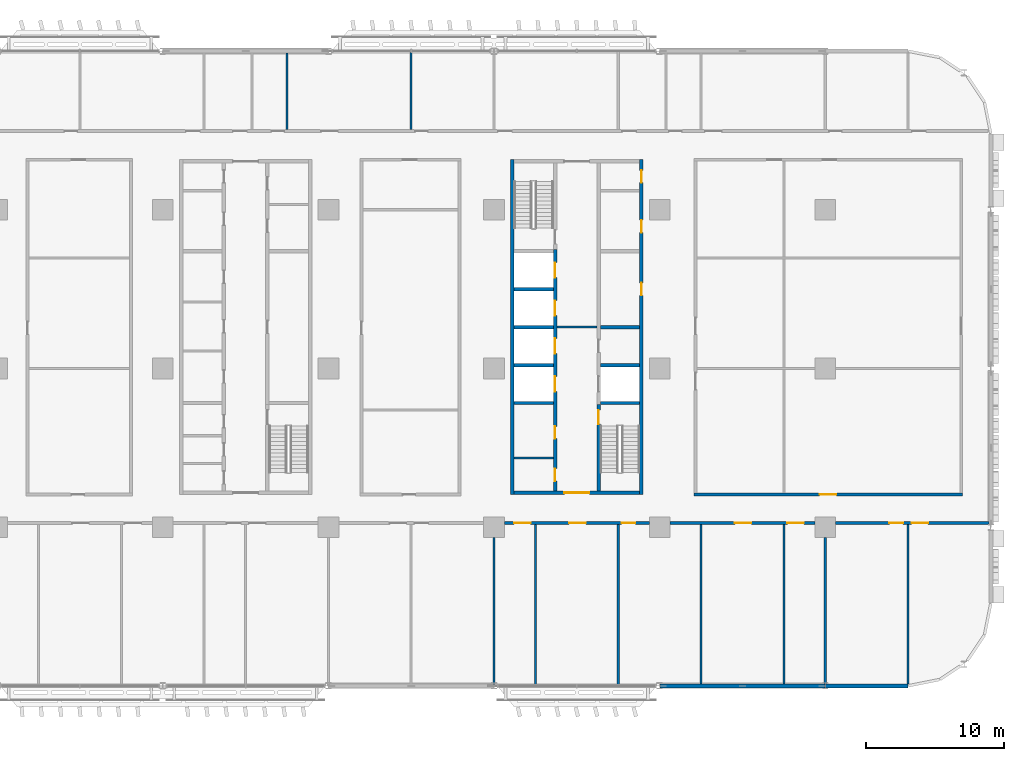
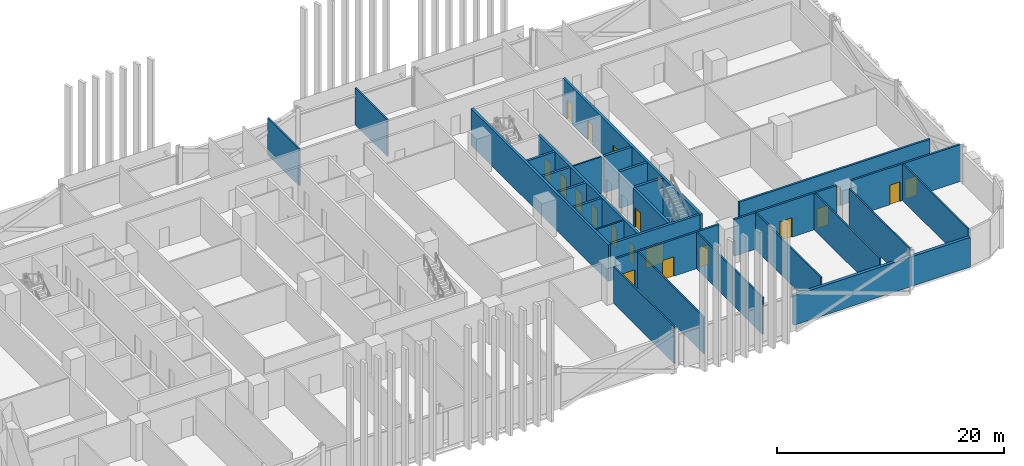
# One storey, part 14 of 29: 29 walls, 19 doors, 19 openings.
"""IFC4 building model written with IfcOpenShell, lengths in metres."""

from ifc_helpers import new_model, si_unit, direction, frame, frame_2d, origin, place, context, subcontext, project, spatial, rectangle, extrude, material, layer, layer_set, type_object, element, fill, save


model = new_model("IFC4")

# Units and contexts
model_context = context("Model", 3, precision=1e-05, world=origin(), true_north=direction((0.0, 1.0)))
body_context = subcontext(model_context, "Body", "Model", "MODEL_VIEW")
ifc_project = project(units=[si_unit("LENGTHUNIT", "METRE"), si_unit("AREAUNIT", "SQUARE_METRE"), si_unit("VOLUMEUNIT", "CUBIC_METRE"), si_unit("PLANEANGLEUNIT", "RADIAN"), si_unit("MASSUNIT", "GRAM", prefix="KILO")], contexts=[model_context])

# Site, building, storey
site_placement = place(None, origin())
site = spatial("IfcSite", under=ifc_project, at=site_placement, CompositionType="ELEMENT")
building_placement = place(site_placement, origin())
building = spatial("IfcBuilding", under=site, at=building_placement, Name="Mahtab Terrace Research Tower", CompositionType="ELEMENT")
storey_placement = place(building_placement, frame((0.0, 0.0, 46.0)))
storey = spatial("IfcBuildingStorey", under=building, at=storey_placement, Name="L10", CompositionType="ELEMENT", Elevation=46.0)

# Walls
ifc_material_1 = material(Name="Gypsum board partition")
ifc_layer_1 = layer(ifc_material_1, 0.14990234375)
ifc_layer_set_1 = layer_set([ifc_layer_1], Name="Core partition 150")
wall_type_1 = type_object("IfcWallType", Name="Core partition 150", PredefinedType="PARTITIONING", material=ifc_layer_set_1)
wall_1_placement = place(storey_placement, frame((22.550048828125, 3.0, 0.0), z_axis=(0.0, 0.0, 1.0), x_axis=(1.0, 0.0, 0.0)))
element("IfcWall", 1, at=wall_1_placement, inside=storey, type_object=wall_type_1, Name="Core wall C ffl", PredefinedType="PARTITIONING", context=body_context, shape_type="SweptSolid", body=[
    extrude(rectangle(XDim=2.89990234375, YDim=0.14990234375, at=frame_2d((1.449951171875, 0.0))), origin(), (0.0, 0.0, 1.0), 3.9599609375),
])
wall_2_placement = place(storey_placement, frame((19.449951171875, -6.47509765625, 0.0), z_axis=(0.0, 0.0, 1.0), x_axis=(1.0, 0.0, 0.0)))
element("IfcWall", 2, at=wall_2_placement, inside=storey, type_object=wall_type_1, Name="Core wall C pWS-948", PredefinedType="PARTITIONING", context=body_context, shape_type="SweptSolid", body=[
    extrude(rectangle(XDim=2.85009765625, YDim=0.14990234375, at=frame_2d((1.425048828125, 0.0))), origin(), (0.0, 0.0, 1.0), 3.9599609375),
])
ifc_material_2 = material(Name="Concrete C70/85", Category="concrete")
ifc_layer_2 = layer(ifc_material_2, 0.25)
ifc_layer_set_2 = layer_set([ifc_layer_2], Name="Core wall 250")
wall_type_2 = type_object("IfcWallType", Name="Core wall 250", PredefinedType="SOLIDWALL", material=ifc_layer_set_2)
wall_3_placement = place(storey_placement, frame((19.324951171875, 15.125, 0.0), z_axis=(0.0, 0.0, 1.0), x_axis=(0.0, -1.0, 0.0)))
element("IfcWall", 3, at=wall_3_placement, inside=storey, type_object=wall_type_2, Name="Core wall C outerW", PredefinedType="SOLIDWALL", context=body_context, shape_type="SweptSolid", body=[
    extrude(rectangle(XDim=24.25, YDim=0.25, at=frame_2d((12.125, 0.0))), origin(), (0.0, 0.0, 1.0), 3.9599609375),
])

# Wall, openings, doors
wall_4_placement = place(storey_placement, frame((28.675048828125, -9.125, 0.0), z_axis=(0.0, 0.0, 1.0), x_axis=(0.0, 1.0, 0.0)))
wall_4 = element("IfcWall", 4, at=wall_4_placement, inside=storey, type_object=wall_type_2, Name="Core wall C outerE", PredefinedType="SOLIDWALL", context=body_context, shape_type="SweptSolid", body=[
    extrude(rectangle(XDim=24.25, YDim=0.25, at=frame_2d((12.125, 0.0))), origin(), (0.0, 0.0, 1.0), 3.9599609375),
])
opening_1_placement = place(wall_4_placement, frame((14.425048828125, 0.0, 0.0)))
opening_1 = element("IfcOpeningElement", 5, at=opening_1_placement, cuts=wall_4, Name="Opening C-R2", PredefinedType="OPENING", context=body_context, shape_type="SweptSolid", body=[
    extrude(rectangle(XDim=0.89990234375, YDim=2.10009765625, at=frame_2d((0.449951171875, 1.050048828125))), frame((0.0, 0.135009765625, 0.0), z_axis=(0.0, -1.0, 0.0), x_axis=(1.0, 0.0, 0.0)), (0.0, 0.0, 1.0), 0.27001953125),
])
opening_2_placement = place(wall_4_placement, frame((18.97509765625, 0.0, 0.0)))
opening_2 = element("IfcOpeningElement", 6, at=opening_2_placement, cuts=wall_4, Name="Opening C-R5", PredefinedType="OPENING", context=body_context, shape_type="SweptSolid", body=[
    extrude(rectangle(XDim=0.89990234375, YDim=2.10009765625, at=frame_2d((0.449951171875, 1.050048828125))), frame((0.0, 0.135009765625, 0.0), z_axis=(0.0, -1.0, 0.0), x_axis=(1.0, 0.0, 0.0)), (0.0, 0.0, 1.0), 0.27001953125),
])
opening_3_placement = place(wall_4_placement, frame((22.58740234375, 0.0, 0.0)))
opening_3 = element("IfcOpeningElement", 7, at=opening_3_placement, cuts=wall_4, Name="Opening C-R6", PredefinedType="OPENING", context=body_context, shape_type="SweptSolid", body=[
    extrude(rectangle(XDim=0.89990234375, YDim=2.10009765625, at=frame_2d((0.449951171875, 1.050048828125))), frame((0.0, 0.135009765625, 0.0), z_axis=(0.0, -1.0, 0.0), x_axis=(1.0, 0.0, 0.0)), (0.0, 0.0, 1.0), 0.27001953125),
])
ifc_material_3 = material(Name="Steel fire door", Category="steel")
door_type_1 = type_object("IfcDoorType", Name="Room door 900x2100 1 HR", OperationType="NOTDEFINED", PredefinedType="DOOR", material=ifc_material_3)
door_1_placement = place(opening_1_placement, origin())
door_1 = element("IfcDoor", 8, at=door_1_placement, inside=storey, type_object=door_type_1, Name="Plant room door", OperationType="SINGLE_SWING_RIGHT", OverallHeight=2.10009765625, OverallWidth=0.89990234375, PredefinedType="DOOR", context=body_context, shape_type="SweptSolid", body=[
    extrude(rectangle(XDim=0.89990234375, YDim=2.10009765625, at=frame_2d((0.449951171875, 1.050048828125))), frame((0.0, 0.02490234375, 0.0), z_axis=(0.0, -1.0, 0.0), x_axis=(1.0, 0.0, 0.0)), (0.0, 0.0, 1.0), 0.050048828125),
])
fill(opening_1, door_1)
door_2_placement = place(opening_2_placement, origin())
door_2 = element("IfcDoor", 9, at=door_2_placement, inside=storey, type_object=door_type_1, Name="IT equipment room door", OperationType="SINGLE_SWING_LEFT", OverallHeight=2.10009765625, OverallWidth=0.89990234375, PredefinedType="DOOR", context=body_context, shape_type="SweptSolid", body=[
    extrude(rectangle(XDim=0.89990234375, YDim=2.10009765625, at=frame_2d((0.449951171875, 1.050048828125))), frame((0.0, 0.02490234375, 0.0), z_axis=(0.0, -1.0, 0.0), x_axis=(1.0, 0.0, 0.0)), (0.0, 0.0, 1.0), 0.050048828125),
])
fill(opening_2, door_2)
door_3_placement = place(opening_3_placement, origin())
door_3 = element("IfcDoor", 10, at=door_3_placement, inside=storey, type_object=door_type_1, Name="Electrical riser room door", OperationType="SINGLE_SWING_RIGHT", OverallHeight=2.10009765625, OverallWidth=0.89990234375, PredefinedType="DOOR", context=body_context, shape_type="SweptSolid", body=[
    extrude(rectangle(XDim=0.89990234375, YDim=2.10009765625, at=frame_2d((0.449951171875, 1.050048828125))), frame((0.0, 0.02490234375, 0.0), z_axis=(0.0, -1.0, 0.0), x_axis=(1.0, 0.0, 0.0)), (0.0, 0.0, 1.0), 0.050048828125),
])
fill(opening_3, door_3)

# Wall, opening, door
wall_5_placement = place(storey_placement, frame((28.550048828125, -9.0, 0.0), z_axis=(0.0, 0.0, 1.0), x_axis=(-1.0, 0.0, 0.0)))
wall_5 = element("IfcWall", 11, at=wall_5_placement, inside=storey, type_object=wall_type_2, Name="Core wall C endS", PredefinedType="SOLIDWALL", context=body_context, shape_type="SweptSolid", body=[
    extrude(rectangle(XDim=9.10009765625, YDim=0.25, at=frame_2d((4.550048828125, 0.0))), origin(), (0.0, 0.0, 1.0), 3.9599609375),
])
opening_4_placement = place(wall_5_placement, frame((3.64990234375, 0.0, 0.0)))
opening_4 = element("IfcOpeningElement", 12, at=opening_4_placement, cuts=wall_5, Name="Opening C-S1", PredefinedType="OPENING", context=body_context, shape_type="SweptSolid", body=[
    extrude(rectangle(XDim=1.800048828125, YDim=2.10009765625, at=frame_2d((0.89990234375, 1.050048828125))), frame((0.0, 0.135009765625, 0.0), z_axis=(0.0, -1.0, 0.0), x_axis=(1.0, 0.0, 0.0)), (0.0, 0.0, 1.0), 0.27001953125),
])
door_type_2 = type_object("IfcDoorType", Name="Lobby double door 1800x2100 1 HR", OperationType="DOUBLE_DOOR_SINGLE_SWING", PredefinedType="DOOR", material=ifc_material_3)
door_4_placement = place(opening_4_placement, origin())
door_4 = element("IfcDoor", 13, at=door_4_placement, inside=storey, type_object=door_type_2, Name="Core entrance door C S", OperationType="DOUBLE_DOOR_SINGLE_SWING", OverallHeight=2.10009765625, OverallWidth=1.800048828125, PredefinedType="DOOR", context=body_context, shape_type="SweptSolid", body=[
    extrude(rectangle(XDim=1.800048828125, YDim=2.10009765625, at=frame_2d((0.89990234375, 1.050048828125))), frame((0.0, 0.02490234375, 0.0), z_axis=(0.0, -1.0, 0.0), x_axis=(1.0, 0.0, 0.0)), (0.0, 0.0, 1.0), 0.050048828125),
])
fill(opening_4, door_4)

# Wall, openings, doors
wall_6_placement = place(storey_placement, frame((22.425048828125, -8.875, 0.0), z_axis=(0.0, 0.0, 1.0), x_axis=(0.0, 1.0, 0.0)))
wall_6 = element("IfcWall", 14, at=wall_6_placement, inside=storey, type_object=wall_type_2, Name="Core wall C innerWSL", PredefinedType="SOLIDWALL", context=body_context, shape_type="SweptSolid", body=[
    extrude(rectangle(XDim=17.5, YDim=0.25, at=frame_2d((8.75, 0.0))), origin(), (0.0, 0.0, 1.0), 3.9599609375),
])
opening_5_placement = place(wall_6_placement, frame((7.199951171875, 0.0, 0.0)))
opening_5 = element("IfcOpeningElement", 15, at=opening_5_placement, cuts=wall_6, Name="Opening LD17-L10", PredefinedType="OPENING", context=body_context, shape_type="SweptSolid", body=[
    extrude(rectangle(XDim=1.10009765625, YDim=2.10009765625, at=frame_2d((0.550048828125, 1.050048828125))), frame((0.0, 0.135009765625, 0.0), z_axis=(0.0, -1.0, 0.0), x_axis=(1.0, 0.0, 0.0)), (0.0, 0.0, 1.0), 0.27001953125),
])
opening_6_placement = place(wall_6_placement, frame((9.949951171875, 0.0, 0.0)))
opening_6 = element("IfcOpeningElement", 16, at=opening_6_placement, cuts=wall_6, Name="Opening LD18-L10", PredefinedType="OPENING", context=body_context, shape_type="SweptSolid", body=[
    extrude(rectangle(XDim=1.10009765625, YDim=2.10009765625, at=frame_2d((0.550048828125, 1.050048828125))), frame((0.0, 0.135009765625, 0.0), z_axis=(0.0, -1.0, 0.0), x_axis=(1.0, 0.0, 0.0)), (0.0, 0.0, 1.0), 0.27001953125),
])
opening_7_placement = place(wall_6_placement, frame((12.699951171875, 0.0, 0.0)))
opening_7 = element("IfcOpeningElement", 17, at=opening_7_placement, cuts=wall_6, Name="Opening LD19-L10", PredefinedType="OPENING", context=body_context, shape_type="SweptSolid", body=[
    extrude(rectangle(XDim=1.10009765625, YDim=2.10009765625, at=frame_2d((0.550048828125, 1.050048828125))), frame((0.0, 0.135009765625, 0.0), z_axis=(0.0, -1.0, 0.0), x_axis=(1.0, 0.0, 0.0)), (0.0, 0.0, 1.0), 0.27001953125),
])
opening_8_placement = place(wall_6_placement, frame((15.449951171875, 0.0, 0.0)))
opening_8 = element("IfcOpeningElement", 18, at=opening_8_placement, cuts=wall_6, Name="Opening LD20-L10", PredefinedType="OPENING", context=body_context, shape_type="SweptSolid", body=[
    extrude(rectangle(XDim=1.10009765625, YDim=2.10009765625, at=frame_2d((0.550048828125, 1.050048828125))), frame((0.0, 0.135009765625, 0.0), z_axis=(0.0, -1.0, 0.0), x_axis=(1.0, 0.0, 0.0)), (0.0, 0.0, 1.0), 0.27001953125),
])
opening_9_placement = place(wall_6_placement, frame((0.71240234375, 0.0, 0.0)))
opening_9 = element("IfcOpeningElement", 19, at=opening_9_placement, cuts=wall_6, Name="Opening C-R3", PredefinedType="OPENING", context=body_context, shape_type="SweptSolid", body=[
    extrude(rectangle(XDim=0.89990234375, YDim=2.10009765625, at=frame_2d((0.449951171875, 1.050048828125))), frame((0.0, 0.135009765625, 0.0), z_axis=(0.0, -1.0, 0.0), x_axis=(1.0, 0.0, 0.0)), (0.0, 0.0, 1.0), 0.27001953125),
])
opening_10_placement = place(wall_6_placement, frame((3.78759765625, 0.0, 0.0)))
opening_10 = element("IfcOpeningElement", 20, at=opening_10_placement, cuts=wall_6, Name="Opening C-R4", PredefinedType="OPENING", context=body_context, shape_type="SweptSolid", body=[
    extrude(rectangle(XDim=0.89990234375, YDim=2.10009765625, at=frame_2d((0.449951171875, 1.050048828125))), frame((0.0, 0.135009765625, 0.0), z_axis=(0.0, -1.0, 0.0), x_axis=(1.0, 0.0, 0.0)), (0.0, 0.0, 1.0), 0.27001953125),
])
ifc_material_4 = material(Name="Stainless steel AISI 304", Category="steel")
door_type_3 = type_object("IfcDoorType", Name="Landing door 1100x2100", OperationType="DOUBLE_DOOR_SLIDING", PredefinedType="DOOR", material=ifc_material_4)
door_5_placement = place(opening_5_placement, origin())
door_5 = element("IfcDoor", 21, at=door_5_placement, inside=storey, type_object=door_type_3, Name="Landing door SV1 L10", OperationType="DOUBLE_DOOR_SLIDING", OverallHeight=2.10009765625, OverallWidth=1.10009765625, PredefinedType="DOOR", context=body_context, shape_type="SweptSolid", body=[
    extrude(rectangle(XDim=1.10009765625, YDim=2.10009765625, at=frame_2d((0.550048828125, 1.050048828125))), frame((0.0, 0.02490234375, 0.0), z_axis=(0.0, -1.0, 0.0), x_axis=(1.0, 0.0, 0.0)), (0.0, 0.0, 1.0), 0.050048828125),
])
fill(opening_5, door_5)
door_6_placement = place(opening_6_placement, origin())
door_6 = element("IfcDoor", 22, at=door_6_placement, inside=storey, type_object=door_type_3, Name="Landing door SV2 L10", OperationType="DOUBLE_DOOR_SLIDING", OverallHeight=2.10009765625, OverallWidth=1.10009765625, PredefinedType="DOOR", context=body_context, shape_type="SweptSolid", body=[
    extrude(rectangle(XDim=1.10009765625, YDim=2.10009765625, at=frame_2d((0.550048828125, 1.050048828125))), frame((0.0, 0.02490234375, 0.0), z_axis=(0.0, -1.0, 0.0), x_axis=(1.0, 0.0, 0.0)), (0.0, 0.0, 1.0), 0.050048828125),
])
fill(opening_6, door_6)
door_7_placement = place(opening_7_placement, origin())
door_7 = element("IfcDoor", 23, at=door_7_placement, inside=storey, type_object=door_type_3, Name="Landing door FF1 L10", OperationType="DOUBLE_DOOR_SLIDING", OverallHeight=2.10009765625, OverallWidth=1.10009765625, PredefinedType="DOOR", context=body_context, shape_type="SweptSolid", body=[
    extrude(rectangle(XDim=1.10009765625, YDim=2.10009765625, at=frame_2d((0.550048828125, 1.050048828125))), frame((0.0, 0.02490234375, 0.0), z_axis=(0.0, -1.0, 0.0), x_axis=(1.0, 0.0, 0.0)), (0.0, 0.0, 1.0), 0.050048828125),
])
fill(opening_7, door_7)
door_8_placement = place(opening_8_placement, origin())
door_8 = element("IfcDoor", 24, at=door_8_placement, inside=storey, type_object=door_type_3, Name="Landing door FF2 L10", OperationType="DOUBLE_DOOR_SLIDING", OverallHeight=2.10009765625, OverallWidth=1.10009765625, PredefinedType="DOOR", context=body_context, shape_type="SweptSolid", body=[
    extrude(rectangle(XDim=1.10009765625, YDim=2.10009765625, at=frame_2d((0.550048828125, 1.050048828125))), frame((0.0, 0.02490234375, 0.0), z_axis=(0.0, -1.0, 0.0), x_axis=(1.0, 0.0, 0.0)), (0.0, 0.0, 1.0), 0.050048828125),
])
fill(opening_8, door_8)
door_9_placement = place(opening_9_placement, origin())
door_9 = element("IfcDoor", 25, at=door_9_placement, inside=storey, type_object=door_type_1, Name="Accessible WC door", OperationType="SINGLE_SWING_LEFT", OverallHeight=2.10009765625, OverallWidth=0.89990234375, PredefinedType="DOOR", context=body_context, shape_type="SweptSolid", body=[
    extrude(rectangle(XDim=0.89990234375, YDim=2.10009765625, at=frame_2d((0.449951171875, 1.050048828125))), frame((0.0, 0.02490234375, 0.0), z_axis=(0.0, -1.0, 0.0), x_axis=(1.0, 0.0, 0.0)), (0.0, 0.0, 1.0), 0.050048828125),
])
fill(opening_9, door_9)
door_10_placement = place(opening_10_placement, origin())
door_10 = element("IfcDoor", 26, at=door_10_placement, inside=storey, type_object=door_type_1, Name="WC block door", OperationType="SINGLE_SWING_RIGHT", OverallHeight=2.10009765625, OverallWidth=0.89990234375, PredefinedType="DOOR", context=body_context, shape_type="SweptSolid", body=[
    extrude(rectangle(XDim=0.89990234375, YDim=2.10009765625, at=frame_2d((0.449951171875, 1.050048828125))), frame((0.0, 0.02490234375, 0.0), z_axis=(0.0, -1.0, 0.0), x_axis=(1.0, 0.0, 0.0)), (0.0, 0.0, 1.0), 0.050048828125),
])
fill(opening_10, door_10)

# Wall, opening, door
wall_7_placement = place(storey_placement, frame((25.574951171875, -8.875, 0.0), z_axis=(0.0, 0.0, 1.0), x_axis=(0.0, 1.0, 0.0)))
wall_7 = element("IfcWall", 27, at=wall_7_placement, inside=storey, type_object=wall_type_2, Name="Core wall C innerES", PredefinedType="SOLIDWALL", context=body_context, shape_type="SweptSolid", body=[
    extrude(rectangle(XDim=6.25, YDim=0.25, at=frame_2d((3.125, 0.0))), origin(), (0.0, 0.0, 1.0), 3.9599609375),
])
opening_11_placement = place(wall_7_placement, frame((4.85009765625, 0.0, 0.0)))
opening_11 = element("IfcOpeningElement", 28, at=opening_11_placement, cuts=wall_7, Name="Opening C-ST4", PredefinedType="OPENING", context=body_context, shape_type="SweptSolid", body=[
    extrude(rectangle(XDim=1.0, YDim=2.10009765625, at=frame_2d((0.5, 1.050048828125))), frame((0.0, 0.135009765625, 0.0), z_axis=(0.0, -1.0, 0.0), x_axis=(1.0, 0.0, 0.0)), (0.0, 0.0, 1.0), 0.27001953125),
])
door_type_4 = type_object("IfcDoorType", Name="Stair door 1000x2100 1.5 HR", OperationType="NOTDEFINED", PredefinedType="DOOR", material=ifc_material_3)
door_11_placement = place(opening_11_placement, origin())
door_11 = element("IfcDoor", 29, at=door_11_placement, inside=storey, type_object=door_type_4, Name="Stair door ST4 L10", OperationType="SINGLE_SWING_RIGHT", OverallHeight=2.10009765625, OverallWidth=1.0, PredefinedType="DOOR", context=body_context, shape_type="SweptSolid", body=[
    extrude(rectangle(XDim=1.0, YDim=2.10009765625, at=frame_2d((0.5, 1.050048828125))), frame((0.0, 0.02490234375, 0.0), z_axis=(0.0, -1.0, 0.0), x_axis=(1.0, 0.0, 0.0)), (0.0, 0.0, 1.0), 0.050048828125),
])
fill(opening_11, door_11)

# Walls
for number, where, z_axis, x_axis, name in (
    (30, (19.449951171875, -2.5, 0.0), (0.0, 0.0, 1.0), (1.0, 0.0, 0.0), "Core wall C divW0"),
    (31, (19.449951171875, 0.25, 0.0), (0.0, 0.0, 1.0), (1.0, 0.0, 0.0), "Core wall C divW1"),
    (32, (19.449951171875, 3.0, 0.0), (0.0, 0.0, 1.0), (1.0, 0.0, 0.0), "Core wall C divW2"),
    (33, (19.449951171875, 5.75, 0.0), (0.0, 0.0, 1.0), (1.0, 0.0, 0.0), "Core wall C divW3"),
    (34, (25.699951171875, -2.5, 0.0), (0.0, 0.0, 1.0), (1.0, 0.0, 0.0), "Core wall C divE0"),
    (35, (25.699951171875, 0.25, 0.0), (0.0, 0.0, 1.0), (1.0, 0.0, 0.0), "Core wall C divE1"),
    (36, (25.699951171875, 3.0, 0.0), (0.0, 0.0, 1.0), (1.0, 0.0, 0.0), "Core wall C divE2"),
):
    element("IfcWall", number, at=place(storey_placement, frame(where, z_axis=z_axis, x_axis=x_axis)), inside=storey, type_object=wall_type_2, Name=name, PredefinedType="SOLIDWALL", context=body_context, shape_type="SweptSolid", body=[
        extrude(rectangle(XDim=2.85009765625, YDim=0.25, at=frame_2d((1.425048828125, 0.0))), origin(), (0.0, 0.0, 1.0), 3.9599609375),
    ])
ifc_material_5 = material(Name="Black aluminium cladding panel", Category="aluminium")
ifc_layer_3 = layer(ifc_material_5, 0.300048828125)
ifc_layer_set_3 = layer_set([ifc_layer_3], Name="Opaque facade wall 300")
wall_type_3 = type_object("IfcWallType", Name="Opaque facade wall 300", PredefinedType="NOTDEFINED", material=ifc_layer_set_3)
wall_8_placement = place(storey_placement, frame((30.02392578125, -23.0, 0.0), z_axis=(0.0, 0.0, 1.0), x_axis=(1.0, 0.0, 0.0)))
element("IfcWall", 37, at=wall_8_placement, inside=storey, type_object=wall_type_3, Name="Opaque facade wall L10 S29", PredefinedType="NOTDEFINED", context=body_context, shape_type="SweptSolid", body=[
    extrude(rectangle(XDim=11.9521484375, YDim=0.300048828125, at=frame_2d((5.97607421875, 0.0))), origin(), (0.0, 0.0, 1.0), 3.203125),
])
wall_9_placement = place(storey_placement, frame((42.02392578125, -23.0, 0.0), z_axis=(0.0, 0.0, 1.0), x_axis=(1.0, 0.0, 0.0)))
element("IfcWall", 38, at=wall_9_placement, inside=storey, type_object=wall_type_3, Name="Opaque facade wall L10 S30", PredefinedType="NOTDEFINED", context=body_context, shape_type="SweptSolid", body=[
    extrude(rectangle(XDim=5.97607421875, YDim=0.300048828125, at=frame_2d((2.988037109375, 0.0))), origin(), (0.0, 0.0, 1.0), 3.203125),
])

# Wall, openings, doors
ifc_material_6 = material(Name="Gypsum board corridor wall on steel studs", Category="steel")
ifc_layer_4 = layer(ifc_material_6, 0.199951171875)
ifc_layer_set_4 = layer_set([ifc_layer_4], Name="WALL CORRIDOR 200")
wall_type_4 = type_object("IfcWallType", Name="WALL CORRIDOR 200", PredefinedType="PARTITIONING", material=ifc_layer_set_4)
wall_10_placement = place(storey_placement, frame((18.75, -11.199951171875, 0.0), z_axis=(0.0, 0.0, 1.0), x_axis=(1.0, 0.0, 0.0)))
wall_10 = element("IfcWall", 39, at=wall_10_placement, inside=storey, type_object=wall_type_4, Name="L10-W006", PredefinedType="PARTITIONING", context=body_context, shape_type="SweptSolid", body=[
    extrude(rectangle(XDim=10.5, YDim=0.199951171875, at=frame_2d((5.25, 0.0))), origin(), (0.0, 0.0, 1.0), 3.9599609375),
])
opening_12_placement = place(wall_10_placement, frame((0.699951171875, 0.0, 0.0)))
opening_12 = element("IfcOpeningElement", 40, at=opening_12_placement, cuts=wall_10, Name="Opening L10-112", PredefinedType="OPENING", context=body_context, shape_type="SweptSolid", body=[
    extrude(rectangle(XDim=1.199951171875, YDim=2.10009765625, at=frame_2d((0.60009765625, 1.050048828125))), frame((0.0, 0.10986328125, 0.0), z_axis=(0.0, -1.0, 0.0), x_axis=(1.0, 0.0, 0.0)), (0.0, 0.0, 1.0), 0.219970703125),
])
opening_13_placement = place(wall_10_placement, frame((4.699951171875, 0.0, 0.0)))
opening_13 = element("IfcOpeningElement", 41, at=opening_13_placement, cuts=wall_10, Name="Opening L10-113", PredefinedType="OPENING", context=body_context, shape_type="SweptSolid", body=[
    extrude(rectangle(XDim=1.199951171875, YDim=2.10009765625, at=frame_2d((0.60009765625, 1.050048828125))), frame((0.0, 0.10986328125, 0.0), z_axis=(0.0, -1.0, 0.0), x_axis=(1.0, 0.0, 0.0)), (0.0, 0.0, 1.0), 0.219970703125),
])
opening_14_placement = place(wall_10_placement, frame((8.5, 0.0, 0.0)))
opening_14 = element("IfcOpeningElement", 42, at=opening_14_placement, cuts=wall_10, Name="Opening L10-114", PredefinedType="OPENING", context=body_context, shape_type="SweptSolid", body=[
    extrude(rectangle(XDim=1.0, YDim=2.10009765625, at=frame_2d((0.5, 1.050048828125))), frame((0.0, 0.10986328125, 0.0), z_axis=(0.0, -1.0, 0.0), x_axis=(1.0, 0.0, 0.0)), (0.0, 0.0, 1.0), 0.219970703125),
])
ifc_material_7 = material(Name="Timber door leaf in steel frame", Category="steel")
door_type_5 = type_object("IfcDoorType", Name="DOOR 1000X2100 FD30S", OperationType="SINGLE_SWING_LEFT", PredefinedType="DOOR", material=ifc_material_7)
door_12_placement = place(opening_14_placement, origin())
door_12 = element("IfcDoor", 43, at=door_12_placement, inside=storey, type_object=door_type_5, Name="Door L10-114", OperationType="SINGLE_SWING_LEFT", OverallHeight=2.10009765625, OverallWidth=1.0, PredefinedType="DOOR", context=body_context, shape_type="SweptSolid", body=[
    extrude(rectangle(XDim=1.0, YDim=2.10009765625, at=frame_2d((0.5, 1.050048828125))), frame((0.0, 0.02490234375, 0.0), z_axis=(0.0, -1.0, 0.0), x_axis=(1.0, 0.0, 0.0)), (0.0, 0.0, 1.0), 0.050048828125),
])
fill(opening_14, door_12)
door_type_6 = type_object("IfcDoorType", Name="DOOR 1200X2100 FD30S", OperationType="SINGLE_SWING_LEFT", PredefinedType="DOOR", material=ifc_material_7)
door_13_placement = place(opening_12_placement, origin())
door_13 = element("IfcDoor", 44, at=door_13_placement, inside=storey, type_object=door_type_6, Name="Door L10-112", OperationType="SINGLE_SWING_RIGHT", OverallHeight=2.10009765625, OverallWidth=1.199951171875, PredefinedType="DOOR", context=body_context, shape_type="SweptSolid", body=[
    extrude(rectangle(XDim=1.199951171875, YDim=2.10009765625, at=frame_2d((0.60009765625, 1.050048828125))), frame((0.0, 0.02490234375, 0.0), z_axis=(0.0, -1.0, 0.0), x_axis=(1.0, 0.0, 0.0)), (0.0, 0.0, 1.0), 0.050048828125),
])
fill(opening_12, door_13)
door_14_placement = place(opening_13_placement, origin())
door_14 = element("IfcDoor", 45, at=door_14_placement, inside=storey, type_object=door_type_6, Name="Door L10-113", OperationType="SINGLE_SWING_LEFT", OverallHeight=2.10009765625, OverallWidth=1.199951171875, PredefinedType="DOOR", context=body_context, shape_type="SweptSolid", body=[
    extrude(rectangle(XDim=1.199951171875, YDim=2.10009765625, at=frame_2d((0.60009765625, 1.050048828125))), frame((0.0, 0.02490234375, 0.0), z_axis=(0.0, -1.0, 0.0), x_axis=(1.0, 0.0, 0.0)), (0.0, 0.0, 1.0), 0.050048828125),
])
fill(opening_13, door_14)

wall_11_placement = place(storey_placement, frame((30.75, -11.199951171875, 0.0), z_axis=(0.0, 0.0, 1.0), x_axis=(1.0, 0.0, 0.0)))
wall_11 = element("IfcWall", 46, at=wall_11_placement, inside=storey, type_object=wall_type_4, Name="L10-W007", PredefinedType="PARTITIONING", context=body_context, shape_type="SweptSolid", body=[
    extrude(rectangle(XDim=10.5, YDim=0.199951171875, at=frame_2d((5.25, 0.0))), origin(), (0.0, 0.0, 1.0), 3.9599609375),
])
opening_15_placement = place(wall_11_placement, frame((4.699951171875, 0.0, 0.0)))
opening_15 = element("IfcOpeningElement", 47, at=opening_15_placement, cuts=wall_11, Name="Opening L10-115", PredefinedType="OPENING", context=body_context, shape_type="SweptSolid", body=[
    extrude(rectangle(XDim=1.199951171875, YDim=2.10009765625, at=frame_2d((0.60009765625, 1.050048828125))), frame((0.0, 0.10986328125, 0.0), z_axis=(0.0, -1.0, 0.0), x_axis=(1.0, 0.0, 0.0)), (0.0, 0.0, 1.0), 0.219970703125),
])
opening_16_placement = place(wall_11_placement, frame((8.5, 0.0, 0.0)))
opening_16 = element("IfcOpeningElement", 48, at=opening_16_placement, cuts=wall_11, Name="Opening L10-116", PredefinedType="OPENING", context=body_context, shape_type="SweptSolid", body=[
    extrude(rectangle(XDim=1.199951171875, YDim=2.10009765625, at=frame_2d((0.60009765625, 1.050048828125))), frame((0.0, 0.10986328125, 0.0), z_axis=(0.0, -1.0, 0.0), x_axis=(1.0, 0.0, 0.0)), (0.0, 0.0, 1.0), 0.219970703125),
])
door_15_placement = place(opening_15_placement, origin())
door_15 = element("IfcDoor", 49, at=door_15_placement, inside=storey, type_object=door_type_6, Name="Door L10-115", OperationType="SINGLE_SWING_LEFT", OverallHeight=2.10009765625, OverallWidth=1.199951171875, PredefinedType="DOOR", context=body_context, shape_type="SweptSolid", body=[
    extrude(rectangle(XDim=1.199951171875, YDim=2.10009765625, at=frame_2d((0.60009765625, 1.050048828125))), frame((0.0, 0.02490234375, 0.0), z_axis=(0.0, -1.0, 0.0), x_axis=(1.0, 0.0, 0.0)), (0.0, 0.0, 1.0), 0.050048828125),
])
fill(opening_15, door_15)
door_16_placement = place(opening_16_placement, origin())
door_16 = element("IfcDoor", 50, at=door_16_placement, inside=storey, type_object=door_type_6, Name="Door L10-116", OperationType="SINGLE_SWING_LEFT", OverallHeight=2.10009765625, OverallWidth=1.199951171875, PredefinedType="DOOR", context=body_context, shape_type="SweptSolid", body=[
    extrude(rectangle(XDim=1.199951171875, YDim=2.10009765625, at=frame_2d((0.60009765625, 1.050048828125))), frame((0.0, 0.02490234375, 0.0), z_axis=(0.0, -1.0, 0.0), x_axis=(1.0, 0.0, 0.0)), (0.0, 0.0, 1.0), 0.050048828125),
])
fill(opening_16, door_16)

wall_12_placement = place(storey_placement, frame((42.75, -11.199951171875, 0.0), z_axis=(0.0, 0.0, 1.0), x_axis=(1.0, 0.0, 0.0)))
wall_12 = element("IfcWall", 51, at=wall_12_placement, inside=storey, type_object=wall_type_4, Name="L10-W008", PredefinedType="PARTITIONING", context=body_context, shape_type="SweptSolid", body=[
    extrude(rectangle(XDim=11.10009765625, YDim=0.199951171875, at=frame_2d((5.550048828125, 0.0))), origin(), (0.0, 0.0, 1.0), 3.9599609375),
])
opening_17_placement = place(wall_12_placement, frame((3.89990234375, 0.0, 0.0)))
opening_17 = element("IfcOpeningElement", 52, at=opening_17_placement, cuts=wall_12, Name="Opening L10-117", PredefinedType="OPENING", context=body_context, shape_type="SweptSolid", body=[
    extrude(rectangle(XDim=1.0, YDim=2.10009765625, at=frame_2d((0.5, 1.050048828125))), frame((0.0, 0.10986328125, 0.0), z_axis=(0.0, -1.0, 0.0), x_axis=(1.0, 0.0, 0.0)), (0.0, 0.0, 1.0), 0.219970703125),
])
opening_18_placement = place(wall_12_placement, frame((5.5, 0.0, 0.0)))
opening_18 = element("IfcOpeningElement", 53, at=opening_18_placement, cuts=wall_12, Name="Opening L10-118", PredefinedType="OPENING", context=body_context, shape_type="SweptSolid", body=[
    extrude(rectangle(XDim=1.199951171875, YDim=2.10009765625, at=frame_2d((0.60009765625, 1.050048828125))), frame((0.0, 0.10986328125, 0.0), z_axis=(0.0, -1.0, 0.0), x_axis=(1.0, 0.0, 0.0)), (0.0, 0.0, 1.0), 0.219970703125),
])
door_17_placement = place(opening_17_placement, origin())
door_17 = element("IfcDoor", 54, at=door_17_placement, inside=storey, type_object=door_type_5, Name="Door L10-117", OperationType="SINGLE_SWING_RIGHT", OverallHeight=2.10009765625, OverallWidth=1.0, PredefinedType="DOOR", context=body_context, shape_type="SweptSolid", body=[
    extrude(rectangle(XDim=1.0, YDim=2.10009765625, at=frame_2d((0.5, 1.050048828125))), frame((0.0, 0.02490234375, 0.0), z_axis=(0.0, -1.0, 0.0), x_axis=(1.0, 0.0, 0.0)), (0.0, 0.0, 1.0), 0.050048828125),
])
fill(opening_17, door_17)
door_18_placement = place(opening_18_placement, origin())
door_18 = element("IfcDoor", 55, at=door_18_placement, inside=storey, type_object=door_type_6, Name="Door L10-118", OperationType="SINGLE_SWING_LEFT", OverallHeight=2.10009765625, OverallWidth=1.199951171875, PredefinedType="DOOR", context=body_context, shape_type="SweptSolid", body=[
    extrude(rectangle(XDim=1.199951171875, YDim=2.10009765625, at=frame_2d((0.60009765625, 1.050048828125))), frame((0.0, 0.02490234375, 0.0), z_axis=(0.0, -1.0, 0.0), x_axis=(1.0, 0.0, 0.0)), (0.0, 0.0, 1.0), 0.050048828125),
])
fill(opening_18, door_18)

# Wall, opening, door
wall_13_placement = place(storey_placement, frame((32.5, -9.125, 0.0), z_axis=(0.0, 0.0, 1.0), x_axis=(1.0, 0.0, 0.0)))
wall_13 = element("IfcWall", 56, at=wall_13_placement, inside=storey, type_object=wall_type_4, Name="L10-W012", PredefinedType="PARTITIONING", context=body_context, shape_type="SweptSolid", body=[
    extrude(rectangle(XDim=19.449951171875, YDim=0.199951171875, at=frame_2d((9.72509765625, 0.0))), origin(), (0.0, 0.0, 1.0), 3.9599609375),
])
opening_19_placement = place(wall_13_placement, frame((9.10009765625, 0.0, 0.0)))
opening_19 = element("IfcOpeningElement", 57, at=opening_19_placement, cuts=wall_13, Name="Opening L10-123", PredefinedType="OPENING", context=body_context, shape_type="SweptSolid", body=[
    extrude(rectangle(XDim=1.199951171875, YDim=2.10009765625, at=frame_2d((0.60009765625, 1.050048828125))), frame((0.0, 0.10986328125, 0.0), z_axis=(0.0, -1.0, 0.0), x_axis=(1.0, 0.0, 0.0)), (0.0, 0.0, 1.0), 0.219970703125),
])
door_19_placement = place(opening_19_placement, origin())
door_19 = element("IfcDoor", 58, at=door_19_placement, inside=storey, type_object=door_type_6, Name="Door L10-123", OperationType="SINGLE_SWING_LEFT", OverallHeight=2.10009765625, OverallWidth=1.199951171875, PredefinedType="DOOR", context=body_context, shape_type="SweptSolid", body=[
    extrude(rectangle(XDim=1.199951171875, YDim=2.10009765625, at=frame_2d((0.60009765625, 1.050048828125))), frame((0.0, 0.02490234375, 0.0), z_axis=(0.0, -1.0, 0.0), x_axis=(1.0, 0.0, 0.0)), (0.0, 0.0, 1.0), 0.050048828125),
])
fill(opening_19, door_19)

# Walls
ifc_material_8 = material(Name="Gypsum board partition on steel studs", Category="steel")
ifc_layer_5 = layer(ifc_material_8, 0.14990234375)
ifc_layer_set_5 = layer_set([ifc_layer_5], Name="WALL PARTITION 150")
wall_type_5 = type_object("IfcWallType", Name="WALL PARTITION 150", PredefinedType="PARTITIONING", material=ifc_layer_set_5)
wall_14_placement = place(storey_placement, frame((3.0, 17.300048828125, 0.0), z_axis=(0.0, 0.0, 1.0), x_axis=(0.0, 1.0, 0.0)))
element("IfcWall", 59, at=wall_14_placement, inside=storey, type_object=wall_type_5, Name="L10-W046", PredefinedType="PARTITIONING", context=body_context, shape_type="SweptSolid", body=[
    extrude(rectangle(XDim=5.550048828125, YDim=0.14990234375, at=frame_2d((2.77490234375, 0.0))), origin(), (0.0, 0.0, 1.0), 3.9599609375),
])
wall_15_placement = place(storey_placement, frame((12.0, 17.300048828125, 0.0), z_axis=(0.0, 0.0, 1.0), x_axis=(0.0, 1.0, 0.0)))
element("IfcWall", 60, at=wall_15_placement, inside=storey, type_object=wall_type_5, Name="L10-W050", PredefinedType="PARTITIONING", context=body_context, shape_type="SweptSolid", body=[
    extrude(rectangle(XDim=5.675048828125, YDim=0.14990234375, at=frame_2d((2.83740234375, 0.0))), origin(), (0.0, 0.0, 1.0), 3.9599609375),
])
wall_16_placement = place(storey_placement, frame((18.0, -22.97509765625, 0.0), z_axis=(0.0, 0.0, 1.0), x_axis=(0.0, 1.0, 0.0)))
element("IfcWall", 61, at=wall_16_placement, inside=storey, type_object=wall_type_5, Name="L10-W052", PredefinedType="PARTITIONING", context=body_context, shape_type="SweptSolid", body=[
    extrude(rectangle(XDim=10.72509765625, YDim=0.14990234375, at=frame_2d((5.362548828125, 0.0))), origin(), (0.0, 0.0, 1.0), 3.9599609375),
])
for number, where, z_axis, x_axis, name in (
    (62, (21.0, -22.97509765625, 0.0), (0.0, 0.0, 1.0), (0.0, 1.0, 0.0), "L10-W054"),
    (63, (27.0, -22.97509765625, 0.0), (0.0, 0.0, 1.0), (0.0, 1.0, 0.0), "L10-W055"),
):
    element("IfcWall", number, at=place(storey_placement, frame(where, z_axis=z_axis, x_axis=x_axis)), inside=storey, type_object=wall_type_5, Name=name, PredefinedType="PARTITIONING", context=body_context, shape_type="SweptSolid", body=[
        extrude(rectangle(XDim=11.675048828125, YDim=0.14990234375, at=frame_2d((5.83740234375, 0.0))), origin(), (0.0, 0.0, 1.0), 3.9599609375),
    ])
for number, where, z_axis, x_axis, name in (
    (64, (33.0, -22.85009765625, 0.0), (0.0, 0.0, 1.0), (0.0, 1.0, 0.0), "L10-W059"),
    (65, (39.0, -22.85009765625, 0.0), (0.0, 0.0, 1.0), (0.0, 1.0, 0.0), "L10-W061"),
):
    element("IfcWall", number, at=place(storey_placement, frame(where, z_axis=z_axis, x_axis=x_axis)), inside=storey, type_object=wall_type_5, Name=name, PredefinedType="PARTITIONING", context=body_context, shape_type="SweptSolid", body=[
        extrude(rectangle(XDim=11.550048828125, YDim=0.14990234375, at=frame_2d((5.77490234375, 0.0))), origin(), (0.0, 0.0, 1.0), 3.9599609375),
    ])
wall_17_placement = place(storey_placement, frame((42.0, -22.85009765625, 0.0), z_axis=(0.0, 0.0, 1.0), x_axis=(0.0, 1.0, 0.0)))
element("IfcWall", 66, at=wall_17_placement, inside=storey, type_object=wall_type_5, Name="L10-W063", PredefinedType="PARTITIONING", context=body_context, shape_type="SweptSolid", body=[
    extrude(rectangle(XDim=10.60009765625, YDim=0.14990234375, at=frame_2d((5.300048828125, 0.0))), origin(), (0.0, 0.0, 1.0), 3.9599609375),
])
wall_18_placement = place(storey_placement, frame((48.0, -22.84716796875, 0.0), z_axis=(0.0, 0.0, 1.0), x_axis=(0.0, 1.0, 0.0)))
element("IfcWall", 67, at=wall_18_placement, inside=storey, type_object=wall_type_5, Name="L10-W065", PredefinedType="PARTITIONING", context=body_context, shape_type="SweptSolid", body=[
    extrude(rectangle(XDim=11.547119140625, YDim=0.14990234375, at=frame_2d((5.7734375, 0.0))), origin(), (0.0, 0.0, 1.0), 3.9599609375),
])

save(model, "model.ifc")
